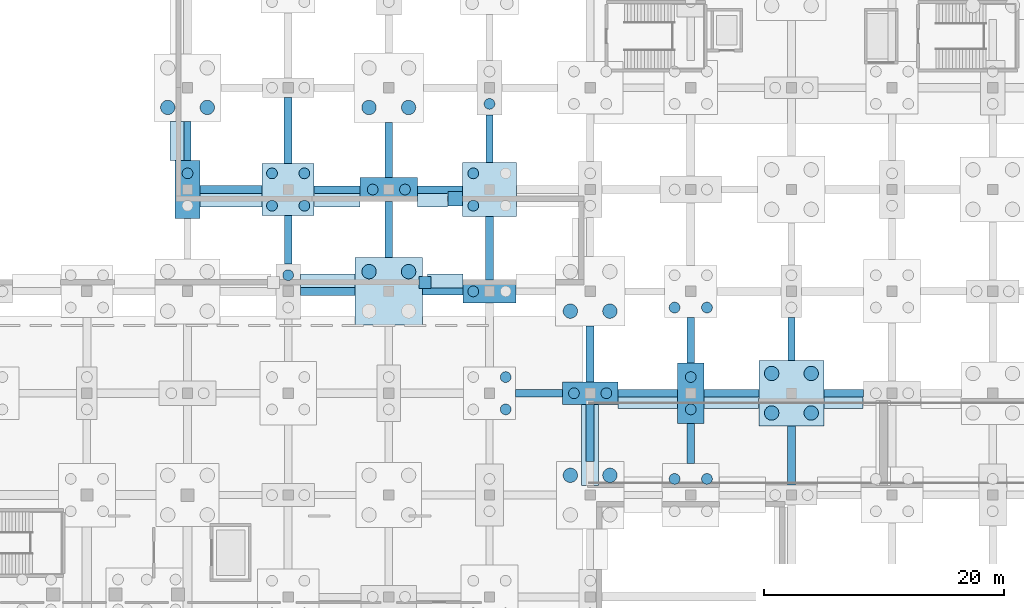
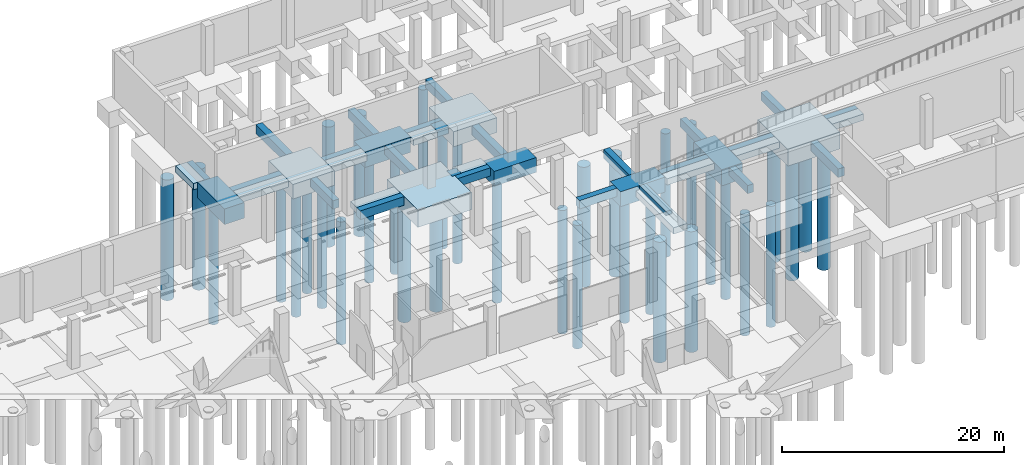
# One storey, part 17 of 34: 43 footings, 36 piles.
"""IFC4 building model written with IfcOpenShell, lengths in metres."""

from ifc_helpers import new_model, si_unit, direction, frame, origin, origin_2d, place, context, subcontext, project, spatial, rectangle, circle, extrude, material, material_profile, profile_set, type_object, element, save


model = new_model("IFC4")

# Units and contexts
model_context = context("Model", 3, precision=1e-05, world=origin(), true_north=direction((0.0, 1.0)))
body_context = subcontext(model_context, "Body", "Model", "MODEL_VIEW")
ifc_project = project(units=[si_unit("LENGTHUNIT", "METRE"), si_unit("AREAUNIT", "SQUARE_METRE"), si_unit("VOLUMEUNIT", "CUBIC_METRE"), si_unit("PLANEANGLEUNIT", "RADIAN"), si_unit("MASSUNIT", "GRAM", prefix="KILO")], contexts=[model_context])

# Site, building, storey
site_placement = place(None, origin())
site = spatial("IfcSite", under=ifc_project, at=site_placement, CompositionType="ELEMENT")
building_placement = place(site_placement, origin())
building = spatial("IfcBuilding", under=site, at=building_placement, Name="Solvento Point Concert Hall", CompositionType="ELEMENT")
storey_placement = place(building_placement, frame((0.0, 0.0, -5.39990234375)))
storey = spatial("IfcBuildingStorey", under=building, at=storey_placement, Name="B01", CompositionType="ELEMENT", Elevation=-5.39990234375)

# Piles
ifc_material_1 = material(Name="Concrete C40/50", Category="concrete")
ifc_material_profile_1 = material_profile(ifc_material_1, circle(Radius=0.60009765625, at=origin_2d()), Name="BP-1200")
ifc_profile_set_1 = profile_set([ifc_material_profile_1], Name="Concrete C40/50")
pile_type_1 = type_object("IfcPileType", Name="BoredPile_1200", PredefinedType="BORED", material=ifc_profile_set_1)
for number, where, z_axis, x_axis, name in (
    (1, (131.550048828125, 125.85009765625, -1.800048828125), (0.0, 0.0, -1.0), (1.0, 0.0, 0.0), "Bored pile BoredPile_1200 #469"),
    (2, (134.85009765625, 125.85009765625, -1.800048828125), (0.0, 0.0, -1.0), (1.0, 0.0, 0.0), "Bored pile BoredPile_1200 #470"),
    (3, (148.35009765625, 112.14990234375, -1.800048828125), (0.0, 0.0, -1.0), (1.0, 0.0, 0.0), "Bored pile BoredPile_1200 #543"),
    (4, (151.64990234375, 112.14990234375, -1.800048828125), (0.0, 0.0, -1.0), (1.0, 0.0, 0.0), "Bored pile BoredPile_1200 #544"),
):
    element("IfcPile", number, at=place(storey_placement, frame(where, z_axis=z_axis, x_axis=x_axis)), inside=storey, type_object=pile_type_1, Name=name, PredefinedType="BORED", context=body_context, shape_type="SweptSolid", body=[
        extrude(circle(Radius=0.60009765625, at=origin_2d()), origin(), (0.0, 0.0, 1.0), 13.300048828125),
    ])
for number, where, z_axis, x_axis, name in (
    (5, (148.35009765625, 125.85009765625, -1.85009765625), (0.0, 0.0, -1.0), (1.0, 0.0, 0.0), "Bored pile BoredPile_1200 #547"),
    (6, (151.64990234375, 125.85009765625, -1.85009765625), (0.0, 0.0, -1.0), (1.0, 0.0, 0.0), "Bored pile BoredPile_1200 #548"),
):
    element("IfcPile", number, at=place(storey_placement, frame(where, z_axis=z_axis, x_axis=x_axis)), inside=storey, type_object=pile_type_1, Name=name, PredefinedType="BORED", context=body_context, shape_type="SweptSolid", body=[
        extrude(circle(Radius=0.60009765625, at=origin_2d()), origin(), (0.0, 0.0, 1.0), 13.25),
    ])
for number, where, z_axis, x_axis, name in (
    (7, (165.14990234375, 95.14990234375, -1.800048828125), (0.0, 0.0, -1.0), (1.0, 0.0, 0.0), "Bored pile BoredPile_1200 #615"),
    (8, (168.449951171875, 95.14990234375, -1.800048828125), (0.0, 0.0, -1.0), (1.0, 0.0, 0.0), "Bored pile BoredPile_1200 #616"),
):
    element("IfcPile", number, at=place(storey_placement, frame(where, z_axis=z_axis, x_axis=x_axis)), inside=storey, type_object=pile_type_1, Name=name, PredefinedType="BORED", context=body_context, shape_type="SweptSolid", body=[
        extrude(circle(Radius=0.60009765625, at=origin_2d()), origin(), (0.0, 0.0, 1.0), 13.300048828125),
    ])
for number, where, z_axis, x_axis, name in (
    (9, (165.14990234375, 108.85009765625, -1.85009765625), (0.0, 0.0, -1.0), (1.0, 0.0, 0.0), "Bored pile BoredPile_1200 #619"),
    (10, (168.449951171875, 108.85009765625, -1.85009765625), (0.0, 0.0, -1.0), (1.0, 0.0, 0.0), "Bored pile BoredPile_1200 #620"),
):
    element("IfcPile", number, at=place(storey_placement, frame(where, z_axis=z_axis, x_axis=x_axis)), inside=storey, type_object=pile_type_1, Name=name, PredefinedType="BORED", context=body_context, shape_type="SweptSolid", body=[
        extrude(circle(Radius=0.60009765625, at=origin_2d()), origin(), (0.0, 0.0, 1.0), 13.25),
    ])
for number, where, z_axis, x_axis, name in (
    (11, (181.949951171875, 100.35009765625, -1.75), (0.0, 0.0, -1.0), (1.0, 0.0, 0.0), "Bored pile BoredPile_1200 #679"),
    (12, (185.25, 100.35009765625, -1.75), (0.0, 0.0, -1.0), (1.0, 0.0, 0.0), "Bored pile BoredPile_1200 #680"),
    (13, (181.949951171875, 103.64990234375, -1.75), (0.0, 0.0, -1.0), (1.0, 0.0, 0.0), "Bored pile BoredPile_1200 #681"),
    (14, (185.25, 103.64990234375, -1.75), (0.0, 0.0, -1.0), (1.0, 0.0, 0.0), "Bored pile BoredPile_1200 #682"),
):
    element("IfcPile", number, at=place(storey_placement, frame(where, z_axis=z_axis, x_axis=x_axis)), inside=storey, type_object=pile_type_1, Name=name, PredefinedType="BORED", context=body_context, shape_type="SweptSolid", body=[
        extrude(circle(Radius=0.60009765625, at=origin_2d()), origin(), (0.0, 0.0, 1.0), 13.35009765625),
    ])
ifc_material_2 = material(Name="Concrete C40/50", Category="concrete")
ifc_material_profile_2 = material_profile(ifc_material_2, circle(Radius=0.449951171875, at=origin_2d()), Name="BP-900")
ifc_profile_set_2 = profile_set([ifc_material_profile_2], Name="Concrete C40/50")
pile_type_2 = type_object("IfcPileType", Name="BoredPile_900", PredefinedType="BORED", material=ifc_profile_set_2)
pile_1_placement = place(storey_placement, frame((133.199951171875, 120.35009765625, -1.6201171875), z_axis=(0.0, 0.0, -1.0), x_axis=(1.0, 0.0, 0.0)))
element("IfcPile", 15, at=pile_1_placement, inside=storey, type_object=pile_type_2, Name="Bored pile BoredPile_900 #468", PredefinedType="BORED", context=body_context, shape_type="SweptSolid", body=[
    extrude(circle(Radius=0.449951171875, at=origin_2d()), origin(), (0.0, 0.0, 1.0), 13.47998046875),
])
pile_2_placement = place(storey_placement, frame((141.60009765625, 111.85009765625, -1.56005859375), z_axis=(0.0, 0.0, -1.0), x_axis=(1.0, 0.0, 0.0)))
element("IfcPile", 16, at=pile_2_placement, inside=storey, type_object=pile_type_2, Name="Bored pile BoredPile_900 #504", PredefinedType="BORED", context=body_context, shape_type="SweptSolid", body=[
    extrude(circle(Radius=0.449951171875, at=origin_2d()), origin(), (0.0, 0.0, 1.0), 13.5400390625),
])
for number, where, z_axis, x_axis, name in (
    (17, (140.25, 117.64990234375, -1.5), (0.0, 0.0, -1.0), (1.0, 0.0, 0.0), "Bored pile BoredPile_900 #505"),
    (18, (142.949951171875, 117.64990234375, -1.5), (0.0, 0.0, -1.0), (1.0, 0.0, 0.0), "Bored pile BoredPile_900 #506"),
    (19, (140.25, 120.35009765625, -1.5), (0.0, 0.0, -1.0), (1.0, 0.0, 0.0), "Bored pile BoredPile_900 #507"),
    (20, (142.949951171875, 120.35009765625, -1.5), (0.0, 0.0, -1.0), (1.0, 0.0, 0.0), "Bored pile BoredPile_900 #508"),
):
    element("IfcPile", number, at=place(storey_placement, frame(where, z_axis=z_axis, x_axis=x_axis)), inside=storey, type_object=pile_type_2, Name=name, PredefinedType="BORED", context=body_context, shape_type="SweptSolid", body=[
        extrude(circle(Radius=0.449951171875, at=origin_2d()), origin(), (0.0, 0.0, 1.0), 13.60009765625),
    ])
for number, where, z_axis, x_axis, name in (
    (21, (148.64990234375, 119.0, -1.60009765625), (0.0, 0.0, -1.0), (1.0, 0.0, 0.0), "Bored pile BoredPile_900 #545"),
    (22, (151.35009765625, 119.0, -1.60009765625), (0.0, 0.0, -1.0), (1.0, 0.0, 0.0), "Bored pile BoredPile_900 #546"),
):
    element("IfcPile", number, at=place(storey_placement, frame(where, z_axis=z_axis, x_axis=x_axis)), inside=storey, type_object=pile_type_2, Name=name, PredefinedType="BORED", context=body_context, shape_type="SweptSolid", body=[
        extrude(circle(Radius=0.449951171875, at=origin_2d()), origin(), (0.0, 0.0, 1.0), 13.5),
    ])
for number, where, z_axis, x_axis, name in (
    (23, (159.75, 100.64990234375, -1.5), (0.0, 0.0, -1.0), (1.0, 0.0, 0.0), "Bored pile BoredPile_900 #578"),
    (24, (159.75, 103.35009765625, -1.5), (0.0, 0.0, -1.0), (1.0, 0.0, 0.0), "Bored pile BoredPile_900 #580"),
):
    element("IfcPile", number, at=place(storey_placement, frame(where, z_axis=z_axis, x_axis=x_axis)), inside=storey, type_object=pile_type_2, Name=name, PredefinedType="BORED", context=body_context, shape_type="SweptSolid", body=[
        extrude(circle(Radius=0.449951171875, at=origin_2d()), origin(), (0.0, 0.0, 1.0), 13.60009765625),
    ])
pile_3_placement = place(storey_placement, frame((157.050048828125, 110.5, -1.5400390625), z_axis=(0.0, 0.0, -1.0), x_axis=(1.0, 0.0, 0.0)))
element("IfcPile", 25, at=pile_3_placement, inside=storey, type_object=pile_type_2, Name="Bored pile BoredPile_900 #581", PredefinedType="BORED", context=body_context, shape_type="SweptSolid", body=[
    extrude(circle(Radius=0.449951171875, at=origin_2d()), origin(), (0.0, 0.0, 1.0), 13.56005859375),
])
for number, where, z_axis, x_axis, name in (
    (26, (157.050048828125, 117.64990234375, -1.550048828125), (0.0, 0.0, -1.0), (1.0, 0.0, 0.0), "Bored pile BoredPile_900 #583"),
    (27, (157.050048828125, 120.35009765625, -1.550048828125), (0.0, 0.0, -1.0), (1.0, 0.0, 0.0), "Bored pile BoredPile_900 #585"),
):
    element("IfcPile", number, at=place(storey_placement, frame(where, z_axis=z_axis, x_axis=x_axis)), inside=storey, type_object=pile_type_2, Name=name, PredefinedType="BORED", context=body_context, shape_type="SweptSolid", body=[
        extrude(circle(Radius=0.449951171875, at=origin_2d()), origin(), (0.0, 0.0, 1.0), 13.550048828125),
    ])
pile_4_placement = place(storey_placement, frame((158.39990234375, 126.14990234375, -1.56005859375), z_axis=(0.0, 0.0, -1.0), x_axis=(1.0, 0.0, 0.0)))
element("IfcPile", 28, at=pile_4_placement, inside=storey, type_object=pile_type_2, Name="Bored pile BoredPile_900 #587", PredefinedType="BORED", context=body_context, shape_type="SweptSolid", body=[
    extrude(circle(Radius=0.449951171875, at=origin_2d()), origin(), (0.0, 0.0, 1.0), 13.5400390625),
])
for number, where, z_axis, x_axis, name in (
    (29, (165.449951171875, 102.0, -1.550048828125), (0.0, 0.0, -1.0), (1.0, 0.0, 0.0), "Bored pile BoredPile_900 #617"),
    (30, (168.14990234375, 102.0, -1.550048828125), (0.0, 0.0, -1.0), (1.0, 0.0, 0.0), "Bored pile BoredPile_900 #618"),
):
    element("IfcPile", number, at=place(storey_placement, frame(where, z_axis=z_axis, x_axis=x_axis)), inside=storey, type_object=pile_type_2, Name=name, PredefinedType="BORED", context=body_context, shape_type="SweptSolid", body=[
        extrude(circle(Radius=0.449951171875, at=origin_2d()), origin(), (0.0, 0.0, 1.0), 13.550048828125),
    ])
for number, where, z_axis, x_axis, name in (
    (31, (173.85009765625, 94.85009765625, -1.760009765625), (0.0, 0.0, -1.0), (1.0, 0.0, 0.0), "Bored pile BoredPile_900 #645"),
    (32, (176.550048828125, 94.85009765625, -1.760009765625), (0.0, 0.0, -1.0), (1.0, 0.0, 0.0), "Bored pile BoredPile_900 #646"),
):
    element("IfcPile", number, at=place(storey_placement, frame(where, z_axis=z_axis, x_axis=x_axis)), inside=storey, type_object=pile_type_2, Name=name, PredefinedType="BORED", context=body_context, shape_type="SweptSolid", body=[
        extrude(circle(Radius=0.449951171875, at=origin_2d()), origin(), (0.0, 0.0, 1.0), 13.340087890625),
    ])
for number, where, z_axis, x_axis, name in (
    (33, (175.199951171875, 100.64990234375, -1.68017578125), (0.0, 0.0, -1.0), (1.0, 0.0, 0.0), "Bored pile BoredPile_900 #647"),
    (34, (175.199951171875, 103.35009765625, -1.68017578125), (0.0, 0.0, -1.0), (1.0, 0.0, 0.0), "Bored pile BoredPile_900 #648"),
):
    element("IfcPile", number, at=place(storey_placement, frame(where, z_axis=z_axis, x_axis=x_axis)), inside=storey, type_object=pile_type_2, Name=name, PredefinedType="BORED", context=body_context, shape_type="SweptSolid", body=[
        extrude(circle(Radius=0.449951171875, at=origin_2d()), origin(), (0.0, 0.0, 1.0), 13.419921875),
    ])
for number, where, z_axis, x_axis, name in (
    (35, (173.85009765625, 109.14990234375, -1.5), (0.0, 0.0, -1.0), (1.0, 0.0, 0.0), "Bored pile BoredPile_900 #649"),
    (36, (176.550048828125, 109.14990234375, -1.5), (0.0, 0.0, -1.0), (1.0, 0.0, 0.0), "Bored pile BoredPile_900 #650"),
):
    element("IfcPile", number, at=place(storey_placement, frame(where, z_axis=z_axis, x_axis=x_axis)), inside=storey, type_object=pile_type_2, Name=name, PredefinedType="BORED", context=body_context, shape_type="SweptSolid", body=[
        extrude(circle(Radius=0.449951171875, at=origin_2d()), origin(), (0.0, 0.0, 1.0), 13.60009765625),
    ])

# Footings
ifc_material_3 = material(Name="Concrete C40/50", Category="concrete")
footing_type_1 = type_object("IfcFootingType", Name="PileCap_2E", PredefinedType="PILE_CAP", material=ifc_material_3)
footing_1_placement = place(storey_placement, frame((166.800048828125, 102.0, -1.650146484375), z_axis=(0.0, 0.0, 1.0), x_axis=(1.0, 0.0, 0.0)))
element("IfcFooting", 37, at=footing_1_placement, inside=storey, type_object=footing_type_1, Name="Pile cap PC-2E at G-21-N", PredefinedType="PILE_CAP", context=body_context, shape_type="SweptSolid", body=[
    extrude(rectangle(XDim=4.6201171875, YDim=1.89990234375, at=origin_2d()), origin(), (0.0, 0.0, 1.0), 1.64990234375),
])
ifc_material_4 = material(Name="Concrete C40/50", Category="concrete")
footing_type_2 = type_object("IfcFootingType", Name="PileCap_2G", PredefinedType="PILE_CAP", material=ifc_material_4)
footing_2_placement = place(storey_placement, frame((150.0, 119.0, -1.7001953125), z_axis=(0.0, 0.0, 1.0), x_axis=(1.0, 0.0, 0.0)))
element("IfcFooting", 38, at=footing_2_placement, inside=storey, type_object=footing_type_2, Name="Pile cap PC-2G at G-19-Q", PredefinedType="PILE_CAP", context=body_context, shape_type="SweptSolid", body=[
    extrude(rectangle(XDim=4.780029296875, YDim=2.02001953125, at=origin_2d()), origin(), (0.0, 0.0, 1.0), 1.699951171875),
])
ifc_material_5 = material(Name="Concrete C40/50", Category="concrete")
footing_type_3 = type_object("IfcFootingType", Name="PileCap_2H", PredefinedType="PILE_CAP", material=ifc_material_5)
footing_3_placement = place(storey_placement, frame((133.199951171875, 119.0, -1.72021484375), z_axis=(0.0, 0.0, 1.0), x_axis=(1.0, 0.0, 0.0)))
element("IfcFooting", 39, at=footing_3_placement, inside=storey, type_object=footing_type_3, Name="Pile cap PC-2H at G-17-Q", PredefinedType="PILE_CAP", context=body_context, shape_type="SweptSolid", body=[
    extrude(rectangle(XDim=2.080078125, YDim=4.860107421875, at=origin_2d()), origin(), (0.0, 0.0, 1.0), 1.719970703125),
])
ifc_material_6 = material(Name="Concrete C40/50", Category="concrete")
footing_type_4 = type_object("IfcFootingType", Name="PileCap_2K", PredefinedType="PILE_CAP", material=ifc_material_6)
footing_4_placement = place(storey_placement, frame((175.199951171875, 102.0, -1.7802734375), z_axis=(0.0, 0.0, 1.0), x_axis=(1.0, 0.0, 0.0)))
element("IfcFooting", 40, at=footing_4_placement, inside=storey, type_object=footing_type_4, Name="Pile cap PC-2K at G-22-N", PredefinedType="PILE_CAP", context=body_context, shape_type="SweptSolid", body=[
    extrude(rectangle(XDim=2.199951171875, YDim=5.02001953125, at=origin_2d()), origin(), (0.0, 0.0, 1.0), 1.780029296875),
])
ifc_material_7 = material(Name="Concrete C40/50", Category="concrete")
footing_type_5 = type_object("IfcFootingType", Name="PileCap_2N", PredefinedType="PILE_CAP", material=ifc_material_7)
footing_5_placement = place(storey_placement, frame((158.39990234375, 110.5, -1.64013671875), z_axis=(0.0, 0.0, 1.0), x_axis=(1.0, 0.0, 0.0)))
element("IfcFooting", 41, at=footing_5_placement, inside=storey, type_object=footing_type_5, Name="Pile cap PC-2N at G-20-P", PredefinedType="PILE_CAP", context=body_context, shape_type="SweptSolid", body=[
    extrude(rectangle(XDim=4.39990234375, YDim=1.93994140625, at=origin_2d()), origin(), (0.0, 0.0, 1.0), 1.639892578125),
])
ifc_material_8 = material(Name="Concrete C40/50", Category="concrete")
footing_type_6 = type_object("IfcFootingType", Name="PileCap_4A", PredefinedType="PILE_CAP", material=ifc_material_8)
footing_6_placement = place(storey_placement, frame((141.60009765625, 119.0, -1.60009765625), z_axis=(0.0, 0.0, 1.0), x_axis=(1.0, 0.0, 0.0)))
element("IfcFooting", 42, at=footing_6_placement, inside=storey, type_object=footing_type_6, Name="Pile cap PC-4A at G-18-Q", PredefinedType="PILE_CAP", context=body_context, shape_type="SweptSolid", body=[
    extrude(rectangle(XDim=4.35009765625, YDim=4.35009765625, at=origin_2d()), origin(), (0.0, 0.0, 1.0), 1.60009765625),
])
ifc_material_9 = material(Name="Concrete C40/50", Category="concrete")
footing_type_7 = type_object("IfcFootingType", Name="PileCap_4B", PredefinedType="PILE_CAP", material=ifc_material_9)
footing_7_placement = place(storey_placement, frame((158.39990234375, 119.0, -1.650146484375), z_axis=(0.0, 0.0, 1.0), x_axis=(1.0, 0.0, 0.0)))
element("IfcFooting", 43, at=footing_7_placement, inside=storey, type_object=footing_type_7, Name="Pile cap PC-4B at G-20-Q", PredefinedType="PILE_CAP", context=body_context, shape_type="SweptSolid", body=[
    extrude(rectangle(XDim=4.5, YDim=4.5, at=origin_2d()), origin(), (0.0, 0.0, 1.0), 1.64990234375),
])
ifc_material_10 = material(Name="Concrete C40/50", Category="concrete")
footing_type_8 = type_object("IfcFootingType", Name="PileCap_4F", PredefinedType="PILE_CAP", material=ifc_material_10)
footing_8_placement = place(storey_placement, frame((183.60009765625, 102.0, -1.85009765625), z_axis=(0.0, 0.0, 1.0), x_axis=(1.0, 0.0, 0.0)))
element("IfcFooting", 44, at=footing_8_placement, inside=storey, type_object=footing_type_8, Name="Pile cap PC-4F at G-23-N", PredefinedType="PILE_CAP", context=body_context, shape_type="SweptSolid", body=[
    extrude(rectangle(XDim=5.43994140625, YDim=5.43994140625, at=origin_2d()), origin(), (0.0, 0.0, 1.0), 1.85009765625),
])
ifc_material_11 = material(Name="Concrete C40/50", Category="concrete")
footing_type_9 = type_object("IfcFootingType", Name="PileCap_4G", PredefinedType="PILE_CAP", material=ifc_material_11)
footing_9_placement = place(storey_placement, frame((150.0, 110.5, -1.900146484375), z_axis=(0.0, 0.0, 1.0), x_axis=(1.0, 0.0, 0.0)))
element("IfcFooting", 45, at=footing_9_placement, inside=storey, type_object=footing_type_9, Name="Pile cap PC-4G at G-19-P", PredefinedType="PILE_CAP", context=body_context, shape_type="SweptSolid", body=[
    extrude(rectangle(XDim=5.6201171875, YDim=5.6201171875, at=origin_2d()), origin(), (0.0, 0.0, 1.0), 1.89990234375),
])
ifc_material_12 = material(Name="Concrete C40/50", Category="concrete")
footing_type_10 = type_object("IfcFootingType", Name="StripFooting_1400x700", PredefinedType="STRIP_FOOTING", material=ifc_material_12)
footing_10_placement = place(storey_placement, frame((166.800048828125, 97.85009765625, -1.14990234375), z_axis=(0.0, 0.0, 1.0), x_axis=(0.0, 1.0, 0.0)))
element("IfcFooting", 46, at=footing_10_placement, inside=storey, type_object=footing_type_10, Name="Strip footing SF-02", PredefinedType="STRIP_FOOTING", context=body_context, shape_type="SweptSolid", body=[
    extrude(rectangle(XDim=7.10009765625, YDim=1.39990234375, at=origin_2d()), origin(), (0.0, 0.0, 1.0), 0.699951171875),
])
footing_11_placement = place(storey_placement, frame((171.60498046875, 101.409912109375, -0.7001953125), z_axis=(0.0, 0.0, 1.0), x_axis=(1.0, 0.0, 0.0)))
element("IfcFooting", 47, at=footing_11_placement, inside=storey, type_object=footing_type_10, Name="Strip footing SF-02", PredefinedType="STRIP_FOOTING", context=body_context, shape_type="SweptSolid", body=[
    extrude(rectangle(XDim=4.949951171875, YDim=1.39990234375, at=origin_2d()), origin(), (0.0, 0.0, 1.0), 0.699951171875),
])
footing_12_placement = place(storey_placement, frame((178.590087890625, 101.409912109375, -0.7001953125), z_axis=(0.0, 0.0, 1.0), x_axis=(1.0, 0.0, 0.0)))
element("IfcFooting", 48, at=footing_12_placement, inside=storey, type_object=footing_type_10, Name="Strip footing SF-02", PredefinedType="STRIP_FOOTING", context=body_context, shape_type="SweptSolid", body=[
    extrude(rectangle(XDim=4.5400390625, YDim=1.39990234375, at=origin_2d()), origin(), (0.0, 0.0, 1.0), 0.699951171875),
])
footing_13_placement = place(storey_placement, frame((187.965087890625, 101.409912109375, -0.7001953125), z_axis=(0.0, 0.0, 1.0), x_axis=(1.0, 0.0, 0.0)))
element("IfcFooting", 49, at=footing_13_placement, inside=storey, type_object=footing_type_10, Name="Strip footing SF-02", PredefinedType="STRIP_FOOTING", context=body_context, shape_type="SweptSolid", body=[
    extrude(rectangle(XDim=3.25, YDim=1.39990234375, at=origin_2d()), origin(), (0.0, 0.0, 1.0), 0.699951171875),
])
footing_14_placement = place(storey_placement, frame((144.907470703125, 111.2548828125, -0.7001953125), z_axis=(0.0, 0.0, 1.0), x_axis=(1.0, 0.0, 0.0)))
element("IfcFooting", 50, at=footing_14_placement, inside=storey, type_object=footing_type_10, Name="Strip footing SF-02", PredefinedType="STRIP_FOOTING", context=body_context, shape_type="SweptSolid", body=[
    extrude(rectangle(XDim=4.544921875, YDim=1.39990234375, at=origin_2d()), origin(), (0.0, 0.0, 1.0), 0.699951171875),
])
footing_15_placement = place(storey_placement, frame((153.020751953125, 111.2548828125, -0.7001953125), z_axis=(0.0, 0.0, 1.0), x_axis=(1.0, 0.0, 0.0)))
element("IfcFooting", 51, at=footing_15_placement, inside=storey, type_object=footing_type_10, Name="Strip footing SF-02", PredefinedType="STRIP_FOOTING", context=body_context, shape_type="SweptSolid", body=[
    extrude(rectangle(XDim=1.0, YDim=1.0, at=origin_2d()), origin(), (0.0, 0.0, 1.0), 0.699951171875),
])
footing_16_placement = place(storey_placement, frame((154.710693359375, 111.2548828125, -0.7001953125), z_axis=(0.0, 0.0, 1.0), x_axis=(1.0, 0.0, 0.0)))
element("IfcFooting", 52, at=footing_16_placement, inside=storey, type_object=footing_type_10, Name="Strip footing SF-02", PredefinedType="STRIP_FOOTING", context=body_context, shape_type="SweptSolid", body=[
    extrude(rectangle(XDim=2.95849609375, YDim=1.39990234375, at=origin_2d()), origin(), (0.0, 0.0, 1.0), 0.699951171875),
])
footing_17_placement = place(storey_placement, frame((155.530029296875, 118.2451171875, -0.7001953125), z_axis=(0.0, 0.0, 1.0), x_axis=(-1.0, 0.0, 0.0)))
element("IfcFooting", 53, at=footing_17_placement, inside=storey, type_object=footing_type_10, Name="Strip footing SF-02", PredefinedType="STRIP_FOOTING", context=body_context, shape_type="SweptSolid", body=[
    extrude(rectangle(XDim=1.219970703125, YDim=1.219970703125, at=origin_2d()), origin(), (0.0, 0.0, 1.0), 0.699951171875),
])
footing_18_placement = place(storey_placement, frame((153.655029296875, 118.2451171875, -0.7001953125), z_axis=(0.0, 0.0, 1.0), x_axis=(-1.0, 0.0, 0.0)))
element("IfcFooting", 54, at=footing_18_placement, inside=storey, type_object=footing_type_10, Name="Strip footing SF-02", PredefinedType="STRIP_FOOTING", context=body_context, shape_type="SweptSolid", body=[
    extrude(rectangle(XDim=2.510009765625, YDim=1.39990234375, at=origin_2d()), origin(), (0.0, 0.0, 1.0), 0.699951171875),
])
footing_19_placement = place(storey_placement, frame((145.6923828125, 118.2451171875, -0.7001953125), z_axis=(0.0, 0.0, 1.0), x_axis=(-1.0, 0.0, 0.0)))
element("IfcFooting", 55, at=footing_19_placement, inside=storey, type_object=footing_type_10, Name="Strip footing SF-02", PredefinedType="STRIP_FOOTING", context=body_context, shape_type="SweptSolid", body=[
    extrude(rectangle(XDim=3.81494140625, YDim=1.39990234375, at=origin_2d()), origin(), (0.0, 0.0, 1.0), 0.699951171875),
])
footing_20_placement = place(storey_placement, frame((136.83251953125, 118.2451171875, -0.7001953125), z_axis=(0.0, 0.0, 1.0), x_axis=(-1.0, 0.0, 0.0)))
element("IfcFooting", 56, at=footing_20_placement, inside=storey, type_object=footing_type_10, Name="Strip footing SF-02", PredefinedType="STRIP_FOOTING", context=body_context, shape_type="SweptSolid", body=[
    extrude(rectangle(XDim=5.1650390625, YDim=1.39990234375, at=origin_2d()), origin(), (0.0, 0.0, 1.0), 0.699951171875),
])
footing_21_placement = place(storey_placement, frame((132.445068359375, 123.06005859375, -0.7001953125), z_axis=(0.0, 0.0, 1.0), x_axis=(0.0, 1.0, 0.0)))
element("IfcFooting", 57, at=footing_21_placement, inside=storey, type_object=footing_type_10, Name="Strip footing SF-02", PredefinedType="STRIP_FOOTING", context=body_context, shape_type="SweptSolid", body=[
    extrude(rectangle(XDim=3.239990234375, YDim=1.39990234375, at=origin_2d()), origin(), (0.0, 0.0, 1.0), 0.699951171875),
])
ifc_material_13 = material(Name="Concrete C40/50", Category="concrete")
footing_type_11 = type_object("IfcFootingType", Name="TieBeam_600x900", PredefinedType="FOOTING_BEAM", material=ifc_material_13)
footing_22_placement = place(storey_placement, frame((187.965087890625, 102.0, -0.900146484375), z_axis=(0.0, 0.0, 1.0), x_axis=(1.0, 0.0, 0.0)))
element("IfcFooting", 58, at=footing_22_placement, inside=storey, type_object=footing_type_11, Name="Seismic tie beam GB-01", PredefinedType="FOOTING_BEAM", context=body_context, shape_type="SweptSolid", body=[
    extrude(rectangle(XDim=3.2900390625, YDim=0.60009765625, at=origin_2d()), origin(), (0.0, 0.0, 1.0), 0.89990234375),
])
footing_23_placement = place(storey_placement, frame((154.5048828125, 110.5, -0.900146484375), z_axis=(0.0, 0.0, 1.0), x_axis=(1.0, 0.0, 0.0)))
element("IfcFooting", 59, at=footing_23_placement, inside=storey, type_object=footing_type_11, Name="Seismic tie beam GB-01", PredefinedType="FOOTING_BEAM", context=body_context, shape_type="SweptSolid", body=[
    extrude(rectangle(XDim=3.389892578125, YDim=0.60009765625, at=origin_2d()), origin(), (0.0, 0.0, 1.0), 0.89990234375),
])
footing_24_placement = place(storey_placement, frame((133.199951171875, 123.06005859375, -0.900146484375), z_axis=(0.0, 0.0, 1.0), x_axis=(0.0, 1.0, 0.0)))
element("IfcFooting", 60, at=footing_24_placement, inside=storey, type_object=footing_type_11, Name="Seismic tie beam GB-01", PredefinedType="FOOTING_BEAM", context=body_context, shape_type="SweptSolid", body=[
    extrude(rectangle(XDim=3.260009765625, YDim=0.60009765625, at=origin_2d()), origin(), (0.0, 0.0, 1.0), 0.89990234375),
])
footing_25_placement = place(storey_placement, frame((175.199951171875, 97.820068359375, -0.900146484375), z_axis=(0.0, 0.0, 1.0), x_axis=(0.0, 1.0, 0.0)))
element("IfcFooting", 61, at=footing_25_placement, inside=storey, type_object=footing_type_11, Name="Seismic tie beam GB-01", PredefinedType="FOOTING_BEAM", context=body_context, shape_type="SweptSolid", body=[
    extrude(rectangle(XDim=3.340087890625, YDim=0.60009765625, at=origin_2d()), origin(), (0.0, 0.0, 1.0), 0.89990234375),
])
footing_26_placement = place(storey_placement, frame((183.60009765625, 106.514892578125, -0.900146484375), z_axis=(0.0, 0.0, 1.0), x_axis=(0.0, 1.0, 0.0)))
element("IfcFooting", 62, at=footing_26_placement, inside=storey, type_object=footing_type_11, Name="Seismic tie beam GB-01", PredefinedType="FOOTING_BEAM", context=body_context, shape_type="SweptSolid", body=[
    extrude(rectangle(XDim=3.590087890625, YDim=0.60009765625, at=origin_2d()), origin(), (0.0, 0.0, 1.0), 0.89990234375),
])
ifc_material_14 = material(Name="Concrete C40/50", Category="concrete")
footing_type_12 = type_object("IfcFootingType", Name="TieBeam_620x920", PredefinedType="FOOTING_BEAM", material=ifc_material_14)
footing_27_placement = place(storey_placement, frame((162.532470703125, 102.0, -0.920166015625), z_axis=(0.0, 0.0, 1.0), x_axis=(1.0, 0.0, 0.0)))
element("IfcFooting", 63, at=footing_27_placement, inside=storey, type_object=footing_type_12, Name="Seismic tie beam GB-02", PredefinedType="FOOTING_BEAM", context=body_context, shape_type="SweptSolid", body=[
    extrude(rectangle(XDim=3.9150390625, YDim=0.6201171875, at=origin_2d()), origin(), (0.0, 0.0, 1.0), 0.919921875),
])
footing_28_placement = place(storey_placement, frame((145.6923828125, 119.0, -0.920166015625), z_axis=(0.0, 0.0, 1.0), x_axis=(1.0, 0.0, 0.0)))
element("IfcFooting", 64, at=footing_28_placement, inside=storey, type_object=footing_type_12, Name="Seismic tie beam GB-02", PredefinedType="FOOTING_BEAM", context=body_context, shape_type="SweptSolid", body=[
    extrude(rectangle(XDim=3.8349609375, YDim=0.6201171875, at=origin_2d()), origin(), (0.0, 0.0, 1.0), 0.919921875),
])
footing_29_placement = place(storey_placement, frame((154.27001953125, 119.0, -0.920166015625), z_axis=(0.0, 0.0, 1.0), x_axis=(1.0, 0.0, 0.0)))
element("IfcFooting", 65, at=footing_29_placement, inside=storey, type_object=footing_type_12, Name="Seismic tie beam GB-02", PredefinedType="FOOTING_BEAM", context=body_context, shape_type="SweptSolid", body=[
    extrude(rectangle(XDim=3.760009765625, YDim=0.6201171875, at=origin_2d()), origin(), (0.0, 0.0, 1.0), 0.919921875),
])
footing_30_placement = place(storey_placement, frame((141.60009765625, 114.8076171875, -0.920166015625), z_axis=(0.0, 0.0, 1.0), x_axis=(0.0, 1.0, 0.0)))
element("IfcFooting", 66, at=footing_30_placement, inside=storey, type_object=footing_type_12, Name="Seismic tie beam GB-02", PredefinedType="FOOTING_BEAM", context=body_context, shape_type="SweptSolid", body=[
    extrude(rectangle(XDim=4.034912109375, YDim=0.6201171875, at=origin_2d()), origin(), (0.0, 0.0, 1.0), 0.919921875),
])
footing_31_placement = place(storey_placement, frame((158.39990234375, 123.22998046875, -0.920166015625), z_axis=(0.0, 0.0, 1.0), x_axis=(0.0, 1.0, 0.0)))
element("IfcFooting", 67, at=footing_31_placement, inside=storey, type_object=footing_type_12, Name="Seismic tie beam GB-02", PredefinedType="FOOTING_BEAM", context=body_context, shape_type="SweptSolid", body=[
    extrude(rectangle(XDim=3.9599609375, YDim=0.6201171875, at=origin_2d()), origin(), (0.0, 0.0, 1.0), 0.919921875),
])
footing_32_placement = place(storey_placement, frame((175.199951171875, 106.41748046875, -0.920166015625), z_axis=(0.0, 0.0, 1.0), x_axis=(0.0, 1.0, 0.0)))
element("IfcFooting", 68, at=footing_32_placement, inside=storey, type_object=footing_type_12, Name="Seismic tie beam GB-02", PredefinedType="FOOTING_BEAM", context=body_context, shape_type="SweptSolid", body=[
    extrude(rectangle(XDim=3.81494140625, YDim=0.6201171875, at=origin_2d()), origin(), (0.0, 0.0, 1.0), 0.919921875),
])
ifc_material_15 = material(Name="Concrete C40/50", Category="concrete")
footing_type_13 = type_object("IfcFootingType", Name="TieBeam_650x950", PredefinedType="FOOTING_BEAM", material=ifc_material_15)
footing_33_placement = place(storey_placement, frame((171.60498046875, 102.0, -0.9501953125), z_axis=(0.0, 0.0, 1.0), x_axis=(1.0, 0.0, 0.0)))
element("IfcFooting", 69, at=footing_33_placement, inside=storey, type_object=footing_type_13, Name="Seismic tie beam GB-03", PredefinedType="FOOTING_BEAM", context=body_context, shape_type="SweptSolid", body=[
    extrude(rectangle(XDim=4.989990234375, YDim=0.64990234375, at=origin_2d()), origin(), (0.0, 0.0, 1.0), 0.949951171875),
])
footing_34_placement = place(storey_placement, frame((178.590087890625, 102.0, -0.9501953125), z_axis=(0.0, 0.0, 1.0), x_axis=(1.0, 0.0, 0.0)))
element("IfcFooting", 70, at=footing_34_placement, inside=storey, type_object=footing_type_13, Name="Seismic tie beam GB-03", PredefinedType="FOOTING_BEAM", context=body_context, shape_type="SweptSolid", body=[
    extrude(rectangle(XDim=4.580078125, YDim=0.64990234375, at=origin_2d()), origin(), (0.0, 0.0, 1.0), 0.949951171875),
])
footing_35_placement = place(storey_placement, frame((144.907470703125, 110.5, -0.9501953125), z_axis=(0.0, 0.0, 1.0), x_axis=(1.0, 0.0, 0.0)))
element("IfcFooting", 71, at=footing_35_placement, inside=storey, type_object=footing_type_13, Name="Seismic tie beam GB-03", PredefinedType="FOOTING_BEAM", context=body_context, shape_type="SweptSolid", body=[
    extrude(rectangle(XDim=4.56494140625, YDim=0.64990234375, at=origin_2d()), origin(), (0.0, 0.0, 1.0), 0.949951171875),
])
footing_36_placement = place(storey_placement, frame((150.0, 115.64990234375, -0.9501953125), z_axis=(0.0, 0.0, 1.0), x_axis=(0.0, 1.0, 0.0)))
element("IfcFooting", 72, at=footing_36_placement, inside=storey, type_object=footing_type_13, Name="Seismic tie beam GB-03", PredefinedType="FOOTING_BEAM", context=body_context, shape_type="SweptSolid", body=[
    extrude(rectangle(XDim=4.679931640625, YDim=0.64990234375, at=origin_2d()), origin(), (0.0, 0.0, 1.0), 0.949951171875),
])
footing_37_placement = place(storey_placement, frame((150.0, 122.304931640625, -0.9501953125), z_axis=(0.0, 0.0, 1.0), x_axis=(0.0, 1.0, 0.0)))
element("IfcFooting", 73, at=footing_37_placement, inside=storey, type_object=footing_type_13, Name="Seismic tie beam GB-03", PredefinedType="FOOTING_BEAM", context=body_context, shape_type="SweptSolid", body=[
    extrude(rectangle(XDim=4.590087890625, YDim=0.64990234375, at=origin_2d()), origin(), (0.0, 0.0, 1.0), 0.949951171875),
])
footing_38_placement = place(storey_placement, frame((166.800048828125, 98.679931640625, -0.9501953125), z_axis=(0.0, 0.0, 1.0), x_axis=(0.0, 1.0, 0.0)))
element("IfcFooting", 74, at=footing_38_placement, inside=storey, type_object=footing_type_13, Name="Seismic tie beam GB-03", PredefinedType="FOOTING_BEAM", context=body_context, shape_type="SweptSolid", body=[
    extrude(rectangle(XDim=4.739990234375, YDim=0.64990234375, at=origin_2d()), origin(), (0.0, 0.0, 1.0), 0.949951171875),
])
footing_39_placement = place(storey_placement, frame((166.800048828125, 105.27490234375, -0.9501953125), z_axis=(0.0, 0.0, 1.0), x_axis=(0.0, 1.0, 0.0)))
element("IfcFooting", 75, at=footing_39_placement, inside=storey, type_object=footing_type_13, Name="Seismic tie beam GB-03", PredefinedType="FOOTING_BEAM", context=body_context, shape_type="SweptSolid", body=[
    extrude(rectangle(XDim=4.64990234375, YDim=0.64990234375, at=origin_2d()), origin(), (0.0, 0.0, 1.0), 0.949951171875),
])
footing_40_placement = place(storey_placement, frame((183.60009765625, 96.802490234375, -0.9501953125), z_axis=(0.0, 0.0, 1.0), x_axis=(0.0, 1.0, 0.0)))
element("IfcFooting", 76, at=footing_40_placement, inside=storey, type_object=footing_type_13, Name="Seismic tie beam GB-03", PredefinedType="FOOTING_BEAM", context=body_context, shape_type="SweptSolid", body=[
    extrude(rectangle(XDim=4.955078125, YDim=0.64990234375, at=origin_2d()), origin(), (0.0, 0.0, 1.0), 0.949951171875),
])
ifc_material_16 = material(Name="Concrete C40/50", Category="concrete")
footing_type_14 = type_object("IfcFootingType", Name="TieBeam_680x980", PredefinedType="FOOTING_BEAM", material=ifc_material_16)
footing_41_placement = place(storey_placement, frame((136.83251953125, 119.0, -0.97998046875), z_axis=(0.0, 0.0, 1.0), x_axis=(1.0, 0.0, 0.0)))
element("IfcFooting", 77, at=footing_41_placement, inside=storey, type_object=footing_type_14, Name="Seismic tie beam GB-04", PredefinedType="FOOTING_BEAM", context=body_context, shape_type="SweptSolid", body=[
    extrude(rectangle(XDim=5.18505859375, YDim=0.679931640625, at=origin_2d()), origin(), (0.0, 0.0, 1.0), 0.97998046875),
])
footing_42_placement = place(storey_placement, frame((141.60009765625, 123.925048828125, -0.97998046875), z_axis=(0.0, 0.0, 1.0), x_axis=(0.0, 1.0, 0.0)))
element("IfcFooting", 78, at=footing_42_placement, inside=storey, type_object=footing_type_14, Name="Seismic tie beam GB-04", PredefinedType="FOOTING_BEAM", context=body_context, shape_type="SweptSolid", body=[
    extrude(rectangle(XDim=5.5, YDim=0.679931640625, at=origin_2d()), origin(), (0.0, 0.0, 1.0), 0.97998046875),
])
footing_43_placement = place(storey_placement, frame((158.39990234375, 114.110107421875, -0.97998046875), z_axis=(0.0, 0.0, 1.0), x_axis=(0.0, 1.0, 0.0)))
element("IfcFooting", 79, at=footing_43_placement, inside=storey, type_object=footing_type_14, Name="Seismic tie beam GB-04", PredefinedType="FOOTING_BEAM", context=body_context, shape_type="SweptSolid", body=[
    extrude(rectangle(XDim=5.280029296875, YDim=0.679931640625, at=origin_2d()), origin(), (0.0, 0.0, 1.0), 0.97998046875),
])

save(model, "model.ifc")
